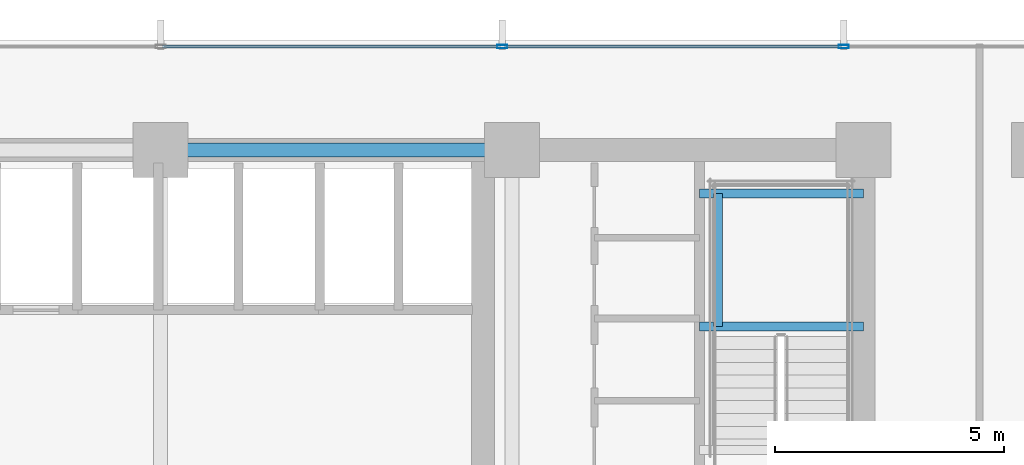
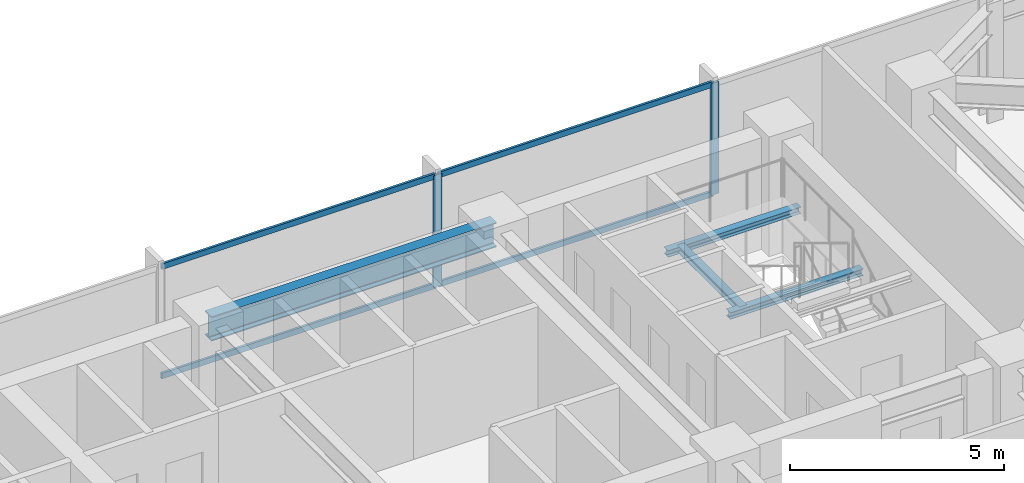
# One storey, part 19 of 33: 6 members, 4 beams, 1 element without a shape of its own.
"""IFC4 building model written with IfcOpenShell, lengths in metres."""

from ifc_helpers import new_model, si_unit, direction, frame, origin, origin_2d, place, context, subcontext, project, spatial, hollow_rectangle, i_section, extrude, material, material_profile, profile_set, type_object, element, aggregate, save


model = new_model("IFC4")

# Units and contexts
model_context = context("Model", 3, precision=1e-05, world=origin(), true_north=direction((0.0, 1.0)))
body_context = subcontext(model_context, "Body", "Model", "MODEL_VIEW")
ifc_project = project(units=[si_unit("LENGTHUNIT", "METRE"), si_unit("AREAUNIT", "SQUARE_METRE"), si_unit("VOLUMEUNIT", "CUBIC_METRE"), si_unit("PLANEANGLEUNIT", "RADIAN"), si_unit("MASSUNIT", "GRAM", prefix="KILO")], contexts=[model_context])

# Site, building, storey
site_placement = place(None, origin())
site = spatial("IfcSite", under=ifc_project, at=site_placement, CompositionType="ELEMENT")
building_placement = place(site_placement, origin())
building = spatial("IfcBuilding", under=site, at=building_placement, Name="Yelkora Congress Tower", CompositionType="ELEMENT")
storey_placement = place(building_placement, frame((0.0, 0.0, 47.39990234375)))
storey = spatial("IfcBuildingStorey", under=building, at=storey_placement, Name="L11", CompositionType="ELEMENT", Elevation=47.39990234375)

# Beams
ifc_material_1 = material(Name="Steel S355J2", Category="steel")
ifc_material_profile_1 = material_profile(ifc_material_1, i_section(OverallWidth=0.300048828125, OverallDepth=0.699951171875, WebThickness=0.01708984375, FlangeThickness=0.031982421875, FilletRadius=0.027099609375, at=origin_2d()), Name="HEB 700")
ifc_profile_set_1 = profile_set([ifc_material_profile_1], Name="Steel S355J2")
beam_type_1 = type_object("IfcBeamType", Name="BM-GIRD-HEB700", PredefinedType="BEAM", material=ifc_profile_set_1)
beam_1_placement = place(storey_placement, frame((38.39990234375, 46.199951171875, 2.830078125), z_axis=(1.0, 0.0, 0.0), x_axis=(0.0, 1.0, 0.0)))
element("IfcBeam", 1, at=beam_1_placement, inside=storey, type_object=beam_type_1, Name="L11 Core North Girder 4", PredefinedType="BEAM", context=body_context, shape_type="SweptSolid", body=[
    extrude(i_section(OverallWidth=0.300048828125, OverallDepth=0.699951171875, WebThickness=0.01708984375, FlangeThickness=0.031982421875, FilletRadius=0.027099609375, at=origin_2d()), origin(), (0.0, 0.0, 1.0), 7.68017578125),
])
ifc_material_profile_2 = material_profile(ifc_material_1, i_section(OverallWidth=0.199951171875, OverallDepth=0.18994140625, WebThickness=0.006591796875, FlangeThickness=0.010009765625, FilletRadius=0.01806640625, at=origin_2d()), Name="HEA 200")
ifc_profile_set_2 = profile_set([ifc_material_profile_2], Name="Steel S355J2")
beam_type_2 = type_object("IfcBeamType", Name="BM-LAND-HEA200", PredefinedType="BEAM", material=ifc_profile_set_2)
for number, where, z_axis, x_axis, name in (
    (2, (50.179931640625, 42.340087890625, 1.384765625), (1.0, 0.0, 0.0), (0.0, 1.0, 0.0), "ST-02 L11 Landing Header Beam 1S"),
    (3, (50.179931640625, 45.25, 1.384765625), (1.0, 0.0, 0.0), (0.0, 1.0, 0.0), "ST-02 L11 Landing Header Beam 1N"),
):
    element("IfcBeam", number, at=place(storey_placement, frame(where, z_axis=z_axis, x_axis=x_axis)), inside=storey, type_object=beam_type_2, Name=name, PredefinedType="BEAM", context=body_context, shape_type="SweptSolid", body=[
        extrude(i_section(OverallWidth=0.199951171875, OverallDepth=0.18994140625, WebThickness=0.006591796875, FlangeThickness=0.010009765625, FilletRadius=0.01806640625, at=origin_2d()), origin(), (0.0, 0.0, 1.0), 3.580078125),
    ])
beam_2_placement = place(storey_placement, frame((50.580078125, 42.340087890625, 1.384765625), z_axis=(0.0, 1.0, 0.0), x_axis=(-1.0, 0.0, 0.0)))
element("IfcBeam", 4, at=beam_2_placement, inside=storey, type_object=beam_type_2, Name="ST-02 L11 Landing Trimmer Beam 1M", PredefinedType="BEAM", context=body_context, shape_type="SweptSolid", body=[
    extrude(i_section(OverallWidth=0.199951171875, OverallDepth=0.18994140625, WebThickness=0.006591796875, FlangeThickness=0.010009765625, FilletRadius=0.01806640625, at=origin_2d()), origin(), (0.0, 0.0, 1.0), 2.909912109375),
])

# Curtain wall, members
ifc_material_2 = material(Name="Anodised aluminium and insulated glass", Category="aluminium")
curtain_wall_type = type_object("IfcCurtainWallType", Name="CW-SYS-B1", PredefinedType="NOTDEFINED", material=ifc_material_2)
curtain_wall_placement = place(storey_placement, origin())
curtain_wall = element("IfcCurtainWall", 5, at=curtain_wall_placement, inside=storey, type_object=curtain_wall_type, Name="L11 Unitised Curtain Wall 10", PredefinedType="NOTDEFINED")
ifc_material_3 = material(Name="Anodised aluminium 6063-T6", Category="aluminium")
ifc_material_profile_3 = material_profile(ifc_material_3, hollow_rectangle(XDim=0.074951171875, YDim=0.219970703125, WallThickness=0.0048828125, at=origin_2d()), Name="ALU 75x220x5")
ifc_profile_set_3 = profile_set([ifc_material_profile_3], Name="Anodised aluminium 6063-T6")
member_type_1 = type_object("IfcMemberType", Name="MEM-ML-B1", PredefinedType="MULLION", material=ifc_profile_set_3)
member_1_placement = place(storey_placement, frame((45.864990234375, 48.4599609375, 0.0), z_axis=(0.0, 0.0, 1.0), x_axis=(0.0, 1.0, 0.0)))
member_1 = element("IfcMember", 6, at=member_1_placement, type_object=member_type_1, Name="CW-B1 mullion 6", PredefinedType="MULLION", context=body_context, shape_type="SweptSolid", body=[
    extrude(hollow_rectangle(XDim=0.074951171875, YDim=0.219970703125, WallThickness=0.0048828125, at=origin_2d()), origin(), (0.0, 0.0, 1.0), 3.18017578125),
])
member_2_placement = place(storey_placement, frame((53.330078125, 48.4599609375, 0.0), z_axis=(0.0, 0.0, 1.0), x_axis=(0.0, 1.0, 0.0)))
member_2 = element("IfcMember", 7, at=member_2_placement, type_object=member_type_1, Name="CW-B1 mullion 7", PredefinedType="MULLION", context=body_context, shape_type="SweptSolid", body=[
    extrude(hollow_rectangle(XDim=0.074951171875, YDim=0.219970703125, WallThickness=0.0048828125, at=origin_2d()), origin(), (0.0, 0.0, 1.0), 3.18017578125),
])
ifc_material_profile_4 = material_profile(ifc_material_3, hollow_rectangle(XDim=0.06494140625, YDim=0.159912109375, WallThickness=0.00390625, at=origin_2d()), Name="ALU 65x160x4")
ifc_profile_set_4 = profile_set([ifc_material_profile_4], Name="Anodised aluminium 6063-T6")
member_type_2 = type_object("IfcMemberType", Name="MEM-TR-B1", PredefinedType="USERDEFINED", material=ifc_profile_set_4)
member_3_placement = place(storey_placement, frame((38.4375, 48.4599609375, 0.03271484375), z_axis=(1.0, 0.0, 0.0), x_axis=(0.0, 1.0, 0.0)))
member_3 = element("IfcMember", 8, at=member_3_placement, type_object=member_type_2, Name="CW-B1 transom 5.1", ObjectType="TRANSOM", PredefinedType="USERDEFINED", context=body_context, shape_type="SweptSolid", body=[
    extrude(hollow_rectangle(XDim=0.06494140625, YDim=0.159912109375, WallThickness=0.00390625, at=origin_2d()), origin(), (0.0, 0.0, 1.0), 7.389892578125),
])
member_4_placement = place(storey_placement, frame((38.4375, 48.4599609375, 3.147705078125), z_axis=(1.0, 0.0, 0.0), x_axis=(0.0, 1.0, 0.0)))
member_4 = element("IfcMember", 9, at=member_4_placement, type_object=member_type_2, Name="CW-B1 transom 5.2", ObjectType="TRANSOM", PredefinedType="USERDEFINED", context=body_context, shape_type="SweptSolid", body=[
    extrude(hollow_rectangle(XDim=0.06494140625, YDim=0.159912109375, WallThickness=0.00390625, at=origin_2d()), origin(), (0.0, 0.0, 1.0), 7.389892578125),
])
member_5_placement = place(storey_placement, frame((45.902587890625, 48.4599609375, 0.03271484375), z_axis=(1.0, 0.0, 0.0), x_axis=(0.0, 1.0, 0.0)))
member_5 = element("IfcMember", 10, at=member_5_placement, type_object=member_type_2, Name="CW-B1 transom 6.1", ObjectType="TRANSOM", PredefinedType="USERDEFINED", context=body_context, shape_type="SweptSolid", body=[
    extrude(hollow_rectangle(XDim=0.06494140625, YDim=0.159912109375, WallThickness=0.00390625, at=origin_2d()), origin(), (0.0, 0.0, 1.0), 7.389892578125),
])
member_6_placement = place(storey_placement, frame((45.902587890625, 48.4599609375, 3.147705078125), z_axis=(1.0, 0.0, 0.0), x_axis=(0.0, 1.0, 0.0)))
member_6 = element("IfcMember", 11, at=member_6_placement, type_object=member_type_2, Name="CW-B1 transom 6.2", ObjectType="TRANSOM", PredefinedType="USERDEFINED", context=body_context, shape_type="SweptSolid", body=[
    extrude(hollow_rectangle(XDim=0.06494140625, YDim=0.159912109375, WallThickness=0.00390625, at=origin_2d()), origin(), (0.0, 0.0, 1.0), 7.389892578125),
])
aggregate(curtain_wall, [member_1, member_2, member_3, member_4, member_5, member_6])

save(model, "model.ifc")
